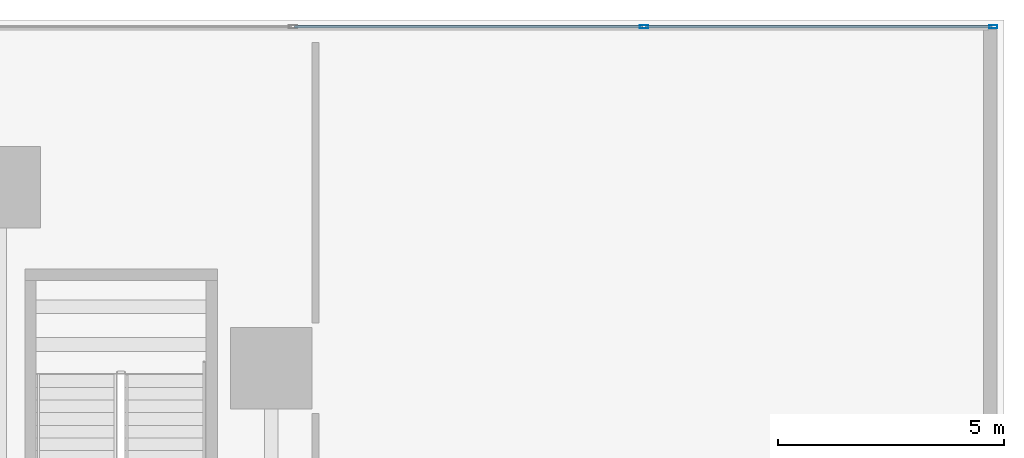
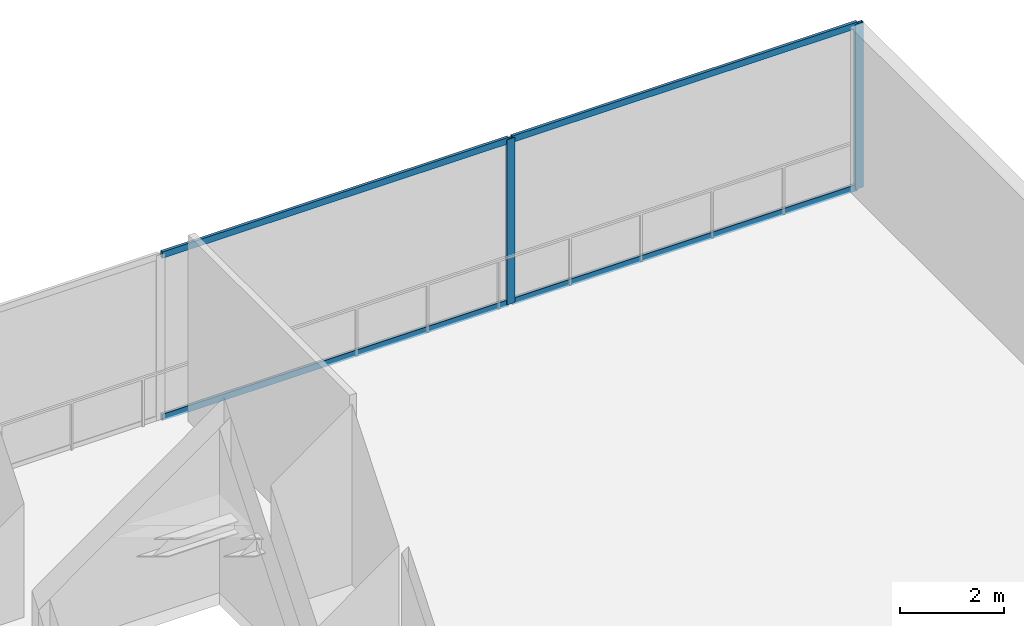
# One storey, part 7 of 17: 6 members, 1 element without a shape of its own.
"""IFC4 building model written with IfcOpenShell, lengths in metres."""

from ifc_helpers import new_model, si_unit, direction, frame, origin, origin_2d, place, context, subcontext, project, spatial, hollow_rectangle, extrude, source, transform, mapped, material, layer, layer_set, material_profile, profile_set, type_object, element, aggregate, save


model = new_model("IFC4")

# Units and contexts
model_context = context("Model", 3, precision=1e-05, world=origin(), true_north=direction((0.0, 1.0)))
body_context = subcontext(model_context, "Body", "Model", "MODEL_VIEW")
ifc_project = project(units=[si_unit("LENGTHUNIT", "METRE"), si_unit("AREAUNIT", "SQUARE_METRE"), si_unit("VOLUMEUNIT", "CUBIC_METRE"), si_unit("PLANEANGLEUNIT", "RADIAN"), si_unit("MASSUNIT", "GRAM", prefix="KILO")], contexts=[model_context])

# Site, building, storey
site_placement = place(None, origin())
site = spatial("IfcSite", under=ifc_project, at=site_placement, CompositionType="ELEMENT")
building_placement = place(site_placement, origin())
building = spatial("IfcBuilding", under=site, at=building_placement, Name="Sumidabori Civic Tower", CompositionType="ELEMENT")
storey_placement = place(building_placement, frame((0.0, 0.0, 5.0)))
storey = spatial("IfcBuildingStorey", under=building, at=storey_placement, Name="L01", CompositionType="ELEMENT", Elevation=5.0)

# Curtain wall, members
ifc_material = material(Name="Anodised Bronze Aluminium AW-6063-T6", Category="aluminium")
ifc_layer = layer(ifc_material, 0.179931640625, Name="Anodised Bronze Aluminium AW-6063-T6")
ifc_layer_set = layer_set([ifc_layer], Name="Anodised Bronze Aluminium AW-6063-T6")
curtain_wall_type = type_object("IfcCurtainWallType", Name="CW-SYS-1", PredefinedType="NOTDEFINED", material=ifc_layer_set)
curtain_wall_placement = place(storey_placement, origin())
curtain_wall = element("IfcCurtainWall", 1, at=curtain_wall_placement, inside=storey, type_object=curtain_wall_type, Name="Curtain Wall CW:L01:NORTH", PredefinedType="NOTDEFINED")
ifc_material_profile_1 = material_profile(ifc_material, hollow_rectangle(XDim=0.070068359375, YDim=0.179931640625, WallThickness=0.006103515625, at=origin_2d()), Name="ALU MULLION 180x70")
ifc_profile_set_1 = profile_set([ifc_material_profile_1], Name="Anodised Bronze Aluminium AW-6063-T6")
member_type_1 = type_object("IfcMemberType", Name="CW-MUL-180", PredefinedType="MULLION", material=ifc_profile_set_1)
shared_shape_1 = source(origin(), body_context, "Body", "SweptSolid", [
    extrude(hollow_rectangle(XDim=0.070068359375, YDim=0.179931640625, WallThickness=0.006103515625, at=origin_2d()), origin(), (0.0, 0.0, 1.0), 3.8701171875),
])
member_1_placement = place(storey_placement, frame((31.0400390625, 26.35009765625, 0.0), z_axis=(0.0, 0.0, 1.0), x_axis=(0.0, 1.0, 0.0)))
member_1 = element("IfcMember", 2, at=member_1_placement, type_object=member_type_1, Name="CW-1 mullion 10", PredefinedType="MULLION", context=body_context, shape_type="MappedRepresentation", body=[
    mapped(shared_shape_1, transform((0.0, 0.0, 0.0), x_axis=(1.0, 0.0, 0.0), y_axis=(0.0, 1.0, 0.0), z_axis=(0.0, 0.0, 1.0), scale=1.0)),
])
member_2_placement = place(storey_placement, frame((38.764892578125, 26.35009765625, 0.0), z_axis=(0.0, 0.0, 1.0), x_axis=(0.0, 1.0, 0.0)))
member_2 = element("IfcMember", 3, at=member_2_placement, type_object=member_type_1, Name="CW-1 mullion 11", PredefinedType="MULLION", context=body_context, shape_type="MappedRepresentation", body=[
    mapped(shared_shape_1, transform((0.0, 0.0, 0.0), x_axis=(1.0, 0.0, 0.0), y_axis=(0.0, 1.0, 0.0), z_axis=(0.0, 0.0, 1.0), scale=1.0)),
])
ifc_material_profile_2 = material_profile(ifc_material, hollow_rectangle(XDim=0.06494140625, YDim=0.14990234375, WallThickness=0.0048828125, at=origin_2d()), Name="ALU TRANSOM 150x65")
ifc_profile_set_2 = profile_set([ifc_material_profile_2], Name="Anodised Bronze Aluminium AW-6063-T6")
member_type_2 = type_object("IfcMemberType", Name="CW-TRN-150", PredefinedType="USERDEFINED", material=ifc_profile_set_2)
shared_shape_2 = source(origin(), body_context, "Body", "SweptSolid", [
    extrude(hollow_rectangle(XDim=0.06494140625, YDim=0.14990234375, WallThickness=0.0048828125, at=origin_2d()), origin(), (0.0, 0.0, 1.0), 7.655029296875),
])
member_3_placement = place(storey_placement, frame((31.074951171875, 26.35009765625, 0.032470703125), z_axis=(1.0, 0.0, 0.0), x_axis=(0.0, 1.0, 0.0)))
member_3 = element("IfcMember", 4, at=member_3_placement, type_object=member_type_2, Name="CW-1 transom 10.1", ObjectType="TRANSOM", PredefinedType="USERDEFINED", context=body_context, shape_type="MappedRepresentation", body=[
    mapped(shared_shape_2, transform((0.0, 0.0, 0.0), x_axis=(1.0, 0.0, 0.0), y_axis=(0.0, 1.0, 0.0), z_axis=(0.0, 0.0, 1.0), scale=1.0)),
])
member_4_placement = place(storey_placement, frame((31.074951171875, 26.35009765625, 3.83740234375), z_axis=(1.0, 0.0, 0.0), x_axis=(0.0, 1.0, 0.0)))
member_4 = element("IfcMember", 5, at=member_4_placement, type_object=member_type_2, Name="CW-1 transom 10.2", ObjectType="TRANSOM", PredefinedType="USERDEFINED", context=body_context, shape_type="MappedRepresentation", body=[
    mapped(shared_shape_2, transform((0.0, 0.0, 0.0), x_axis=(1.0, 0.0, 0.0), y_axis=(0.0, 1.0, 0.0), z_axis=(0.0, 0.0, 1.0), scale=1.0)),
])
shared_shape_3 = source(origin(), body_context, "Body", "SweptSolid", [
    extrude(hollow_rectangle(XDim=0.06494140625, YDim=0.14990234375, WallThickness=0.0048828125, at=origin_2d()), origin(), (0.0, 0.0, 1.0), 7.68994140625),
])
member_5_placement = place(storey_placement, frame((23.31494140625, 26.35009765625, 0.032470703125), z_axis=(1.0, 0.0, 0.0), x_axis=(0.0, 1.0, 0.0)))
member_5 = element("IfcMember", 6, at=member_5_placement, type_object=member_type_2, Name="CW-1 transom 9.1", ObjectType="TRANSOM", PredefinedType="USERDEFINED", context=body_context, shape_type="MappedRepresentation", body=[
    mapped(shared_shape_3, transform((0.0, 0.0, 0.0), x_axis=(1.0, 0.0, 0.0), y_axis=(0.0, 1.0, 0.0), z_axis=(0.0, 0.0, 1.0), scale=1.0)),
])
member_6_placement = place(storey_placement, frame((23.31494140625, 26.35009765625, 3.83740234375), z_axis=(1.0, 0.0, 0.0), x_axis=(0.0, 1.0, 0.0)))
member_6 = element("IfcMember", 7, at=member_6_placement, type_object=member_type_2, Name="CW-1 transom 9.2", ObjectType="TRANSOM", PredefinedType="USERDEFINED", context=body_context, shape_type="MappedRepresentation", body=[
    mapped(shared_shape_3, transform((0.0, 0.0, 0.0), x_axis=(1.0, 0.0, 0.0), y_axis=(0.0, 1.0, 0.0), z_axis=(0.0, 0.0, 1.0), scale=1.0)),
])
aggregate(curtain_wall, [member_1, member_2, member_5, member_6, member_3, member_4])

save(model, "model.ifc")
